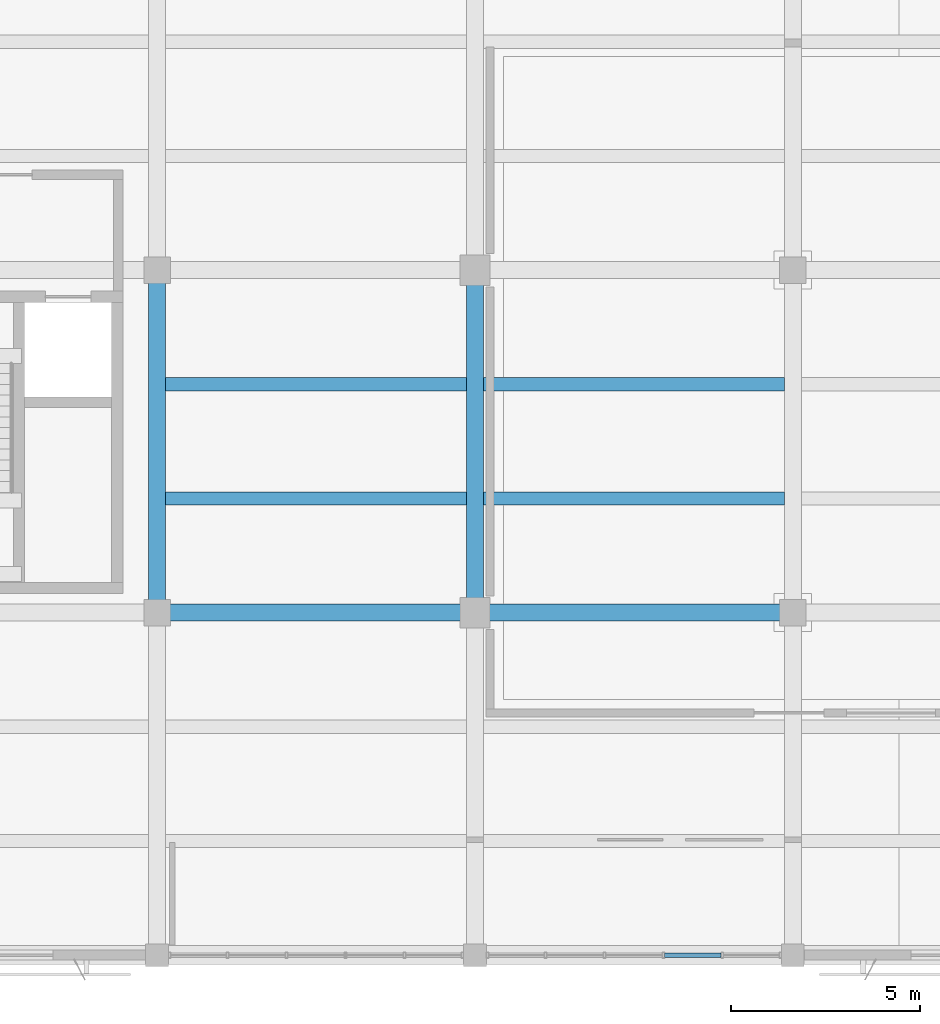
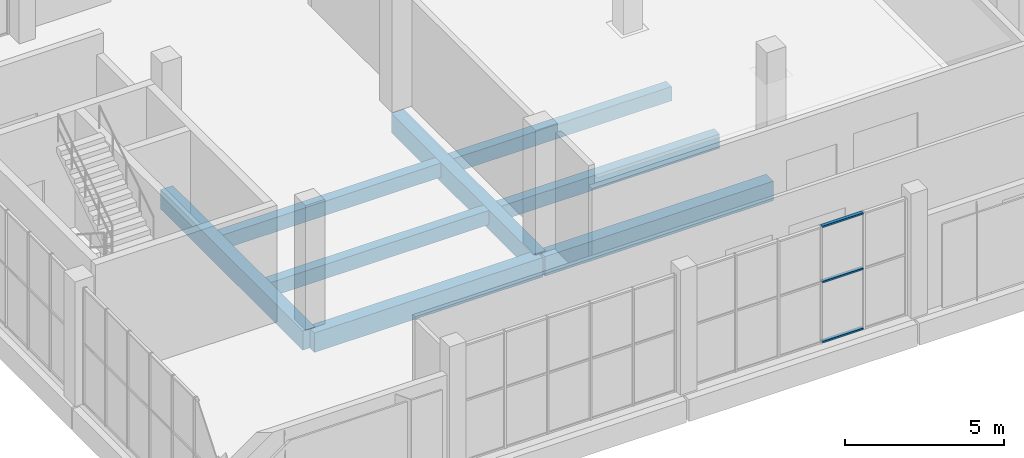
# One storey, part 7 of 80: 8 beams, 3 members, 1 element without a shape of its own.
"""IFC4 building model written with IfcOpenShell, lengths in metres."""

from ifc_helpers import new_model, si_unit, direction, frame, origin, origin_2d, place, context, subcontext, project, spatial, rectangle, hollow_rectangle, extrude, material, material_profile, profile_set, type_object, element, aggregate, save


model = new_model("IFC4")

# Units and contexts
model_context = context("Model", 3, precision=1e-05, world=origin(), true_north=direction((0.0, 1.0)))
body_context = subcontext(model_context, "Body", "Model", "MODEL_VIEW")
ifc_project = project(units=[si_unit("LENGTHUNIT", "METRE"), si_unit("AREAUNIT", "SQUARE_METRE"), si_unit("VOLUMEUNIT", "CUBIC_METRE"), si_unit("PLANEANGLEUNIT", "RADIAN"), si_unit("MASSUNIT", "GRAM", prefix="KILO")], contexts=[model_context])

# Site, building, storey
site_placement = place(None, origin())
site = spatial("IfcSite", under=ifc_project, at=site_placement, CompositionType="ELEMENT")
building_placement = place(site_placement, origin())
building = spatial("IfcBuilding", under=site, at=building_placement, Name="Khurvash Pelagic Aquarium", CompositionType="ELEMENT")
storey_placement = place(building_placement, frame((0.0, 0.0, 10.800048828125)))
storey = spatial("IfcBuildingStorey", under=building, at=storey_placement, Name="L02", CompositionType="ELEMENT", Elevation=10.800048828125)

# Beams
ifc_material_1 = material(Name="Concrete C35/45", Category="concrete")
ifc_material_profile_1 = material_profile(ifc_material_1, rectangle(XDim=0.449951171875, YDim=0.75, at=origin_2d()), Name="RC450X750")
ifc_profile_set_1 = profile_set([ifc_material_profile_1], Name="Concrete C35/45")
beam_type_1 = type_object("IfcBeamType", Name="BM-04", PredefinedType="BEAM", material=ifc_profile_set_1)
for number, where, z_axis, x_axis, name in (
    (1, (33.639892578125, 11.64990234375, -0.695068359375), (1.0, 0.0, 0.0), (0.0, 1.0, 0.0), "L02 Primary Girder BM-04 00573"),
    (2, (42.0400390625, 11.64990234375, -0.695068359375), (1.0, 0.0, 0.0), (0.0, 1.0, 0.0), "L02 Primary Girder BM-04 00574"),
):
    element("IfcBeam", number, at=place(storey_placement, frame(where, z_axis=z_axis, x_axis=x_axis)), inside=storey, type_object=beam_type_1, Name=name, PredefinedType="BEAM", context=body_context, shape_type="SweptSolid", body=[
        extrude(rectangle(XDim=0.449951171875, YDim=0.75, at=origin_2d()), origin(), (0.0, 0.0, 1.0), 8.320068359375),
    ])
for number, where, z_axis, x_axis, name in (
    (3, (33.60009765625, 11.68994140625, -0.675048828125), (0.0, 1.0, 0.0), (-1.0, 0.0, 0.0), "L02 Primary Girder BM-04 00666"),
    (4, (42.0, 11.68994140625, -0.675048828125), (0.0, 1.0, 0.0), (-1.0, 0.0, 0.0), "L02 Primary Girder BM-04 00674"),
):
    element("IfcBeam", number, at=place(storey_placement, frame(where, z_axis=z_axis, x_axis=x_axis)), inside=storey, type_object=beam_type_1, Name=name, PredefinedType="BEAM", context=body_context, shape_type="SweptSolid", body=[
        extrude(rectangle(XDim=0.449951171875, YDim=0.75, at=origin_2d()), origin(), (0.0, 0.0, 1.0), 8.969970703125),
    ])

# Curtain wall, members
ifc_material_2 = material(Name="Anodised aluminium and low-E laminated glass", Category="aluminium")
curtain_wall_type = type_object("IfcCurtainWallType", Name="CW-06", PredefinedType="USERDEFINED", material=ifc_material_2)
curtain_wall_placement = place(storey_placement, origin())
curtain_wall = element("IfcCurtainWall", 5, at=curtain_wall_placement, inside=storey, type_object=curtain_wall_type, Name="L02 Facade Unitised Curtain Wall CW-06 0152", ObjectType="UNITISED CURTAIN WALL", PredefinedType="USERDEFINED")
ifc_material_3 = material(Name="Extruded aluminium AW-6063-T6", Category="aluminium")
ifc_material_profile_2 = material_profile(ifc_material_3, hollow_rectangle(XDim=0.1201171875, YDim=0.06005859375, WallThickness=0.00390625, at=origin_2d()), Name="CWT120X60X4")
ifc_profile_set_2 = profile_set([ifc_material_profile_2], Name="Extruded aluminium AW-6063-T6")
member_type = type_object("IfcMemberType", Name="CT-02", PredefinedType="USERDEFINED", material=ifc_profile_set_2)
member_1_placement = place(storey_placement, frame((47.009033203125, 2.60009765625, 0.030029296875), z_axis=(1.0, 0.0, 0.0), x_axis=(0.0, 1.0, 0.0)))
member_1 = element("IfcMember", 6, at=member_1_placement, type_object=member_type, Name="CW-06 transom 4.1", ObjectType="TRANSOM", PredefinedType="USERDEFINED", context=body_context, shape_type="SweptSolid", body=[
    extrude(hollow_rectangle(XDim=0.1201171875, YDim=0.06005859375, WallThickness=0.00390625, at=origin_2d()), origin(), (0.0, 0.0, 1.0), 1.498046875),
])
member_2_placement = place(storey_placement, frame((47.009033203125, 2.60009765625, 2.33984375), z_axis=(1.0, 0.0, 0.0), x_axis=(0.0, 1.0, 0.0)))
member_2 = element("IfcMember", 7, at=member_2_placement, type_object=member_type, Name="CW-06 transom 4.2", ObjectType="TRANSOM", PredefinedType="USERDEFINED", context=body_context, shape_type="SweptSolid", body=[
    extrude(hollow_rectangle(XDim=0.1201171875, YDim=0.06005859375, WallThickness=0.00390625, at=origin_2d()), origin(), (0.0, 0.0, 1.0), 1.498046875),
])
member_3_placement = place(storey_placement, frame((47.009033203125, 2.60009765625, 4.469970703125), z_axis=(1.0, 0.0, 0.0), x_axis=(0.0, 1.0, 0.0)))
member_3 = element("IfcMember", 8, at=member_3_placement, type_object=member_type, Name="CW-06 transom 4.3", ObjectType="TRANSOM", PredefinedType="USERDEFINED", context=body_context, shape_type="SweptSolid", body=[
    extrude(hollow_rectangle(XDim=0.1201171875, YDim=0.06005859375, WallThickness=0.00390625, at=origin_2d()), origin(), (0.0, 0.0, 1.0), 1.498046875),
])
aggregate(curtain_wall, [member_1, member_2, member_3])

# Beams
ifc_material_profile_3 = material_profile(ifc_material_1, rectangle(XDim=0.35009765625, YDim=0.550048828125, at=origin_2d()), Name="RC350X550")
ifc_profile_set_3 = profile_set([ifc_material_profile_3], Name="Concrete C35/45")
beam_type_2 = type_object("IfcBeamType", Name="JS-01", PredefinedType="JOIST", material=ifc_profile_set_3)
for number, where, z_axis, x_axis, name in (
    (9, (33.824951171875, 14.6669921875, -0.574951171875), (1.0, 0.0, 0.0), (0.0, 1.0, 0.0), "L02 Floor Joist JS-01 00751"),
    (10, (33.824951171875, 17.68310546875, -0.574951171875), (1.0, 0.0, 0.0), (0.0, 1.0, 0.0), "L02 Floor Joist JS-01 00752"),
    (11, (42.22509765625, 14.6669921875, -0.574951171875), (1.0, 0.0, 0.0), (0.0, 1.0, 0.0), "L02 Floor Joist JS-01 00759"),
    (12, (42.22509765625, 17.68310546875, -0.574951171875), (1.0, 0.0, 0.0), (0.0, 1.0, 0.0), "L02 Floor Joist JS-01 00760"),
):
    element("IfcBeam", number, at=place(storey_placement, frame(where, z_axis=z_axis, x_axis=x_axis)), inside=storey, type_object=beam_type_2, Name=name, PredefinedType="JOIST", context=body_context, shape_type="SweptSolid", body=[
        extrude(rectangle(XDim=0.35009765625, YDim=0.550048828125, at=origin_2d()), origin(), (0.0, 0.0, 1.0), 7.949951171875),
    ])

save(model, "model.ifc")
